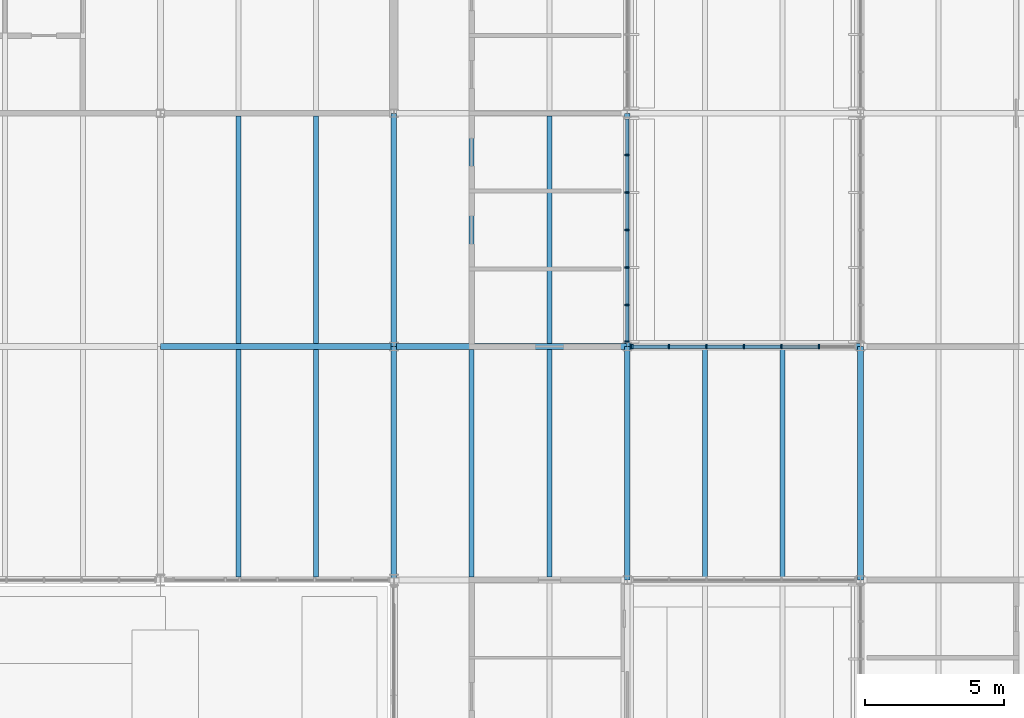
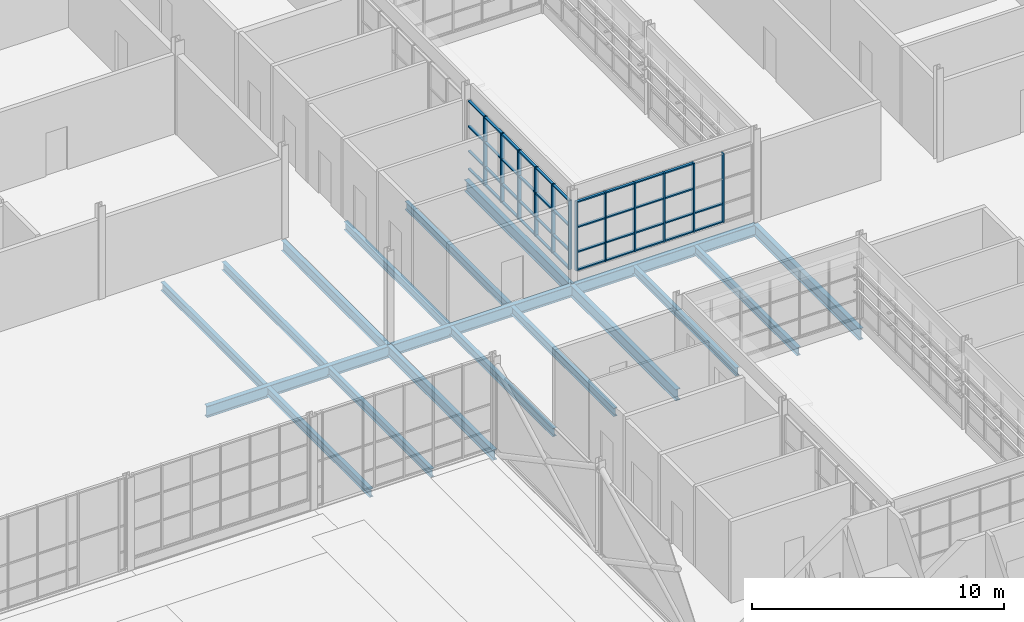
# One storey, part 50 of 116: 54 members, 18 beams, 2 elements without a shape of their own.
"""IFC4 building model written with IfcOpenShell, lengths in metres."""

from ifc_helpers import new_model, si_unit, direction, frame, origin, origin_2d, place, context, subcontext, project, spatial, rectangle, i_section, extrude, material, layer, layer_set, material_profile, profile_set, type_object, element, aggregate, save


model = new_model("IFC4")

# Units and contexts
model_context = context("Model", 3, precision=1e-05, world=origin(), true_north=direction((0.0, 1.0)))
body_context = subcontext(model_context, "Body", "Model", "MODEL_VIEW")
ifc_project = project(units=[si_unit("LENGTHUNIT", "METRE"), si_unit("AREAUNIT", "SQUARE_METRE"), si_unit("VOLUMEUNIT", "CUBIC_METRE"), si_unit("PLANEANGLEUNIT", "RADIAN"), si_unit("MASSUNIT", "GRAM", prefix="KILO")], contexts=[model_context])

# Site, building, storey
site_placement = place(None, origin())
site = spatial("IfcSite", under=ifc_project, at=site_placement, CompositionType="ELEMENT")
building_placement = place(site_placement, origin())
building = spatial("IfcBuilding", under=site, at=building_placement, Name="Ardhachandra Cancer Care Centre", CompositionType="ELEMENT")
storey_placement = place(building_placement, origin())
storey = spatial("IfcBuildingStorey", under=building, at=storey_placement, Name="L00", CompositionType="ELEMENT", Elevation=0.0)

# Beams
ifc_material_1 = material(Name="Steel E350 (IS 2062)", Category="steel")
ifc_material_profile_1 = material_profile(ifc_material_1, i_section(OverallWidth=0.179931640625, OverallDepth=0.39990234375, WebThickness=0.008544921875, FlangeThickness=0.013427734375, FilletRadius=0.02099609375, at=origin_2d()), Name="NPB 400x180x66.30")
ifc_profile_set_1 = profile_set([ifc_material_profile_1], Name="Steel E350 (IS 2062)")
beam_type_1 = type_object("IfcBeamType", Name="Beam NPB 400x180x66.30", PredefinedType="BEAM", material=ifc_profile_set_1)
beam_1_placement = place(storey_placement, frame((106.0, 54.699951171875, -0.35009765625), z_axis=(0.0, 1.0, 0.0), x_axis=(-1.0, 0.0, 0.0)))
element("IfcBeam", 1, at=beam_1_placement, inside=storey, type_object=beam_type_1, Name="Secondary F12-G12@2800", PredefinedType="BEAM", context=body_context, shape_type="SweptSolid", body=[
    extrude(i_section(OverallWidth=0.179931640625, OverallDepth=0.39990234375, WebThickness=0.008544921875, FlangeThickness=0.013427734375, FilletRadius=0.02099609375, at=origin_2d()), origin(), (0.0, 0.0, 1.0), 8.195068359375),
])
beam_2_placement = place(storey_placement, frame((106.0, 63.10498046875, -0.35009765625), z_axis=(0.0, 1.0, 0.0), x_axis=(-1.0, 0.0, 0.0)))
element("IfcBeam", 2, at=beam_2_placement, inside=storey, type_object=beam_type_1, Name="Secondary G12-H12@2800", PredefinedType="BEAM", context=body_context, shape_type="SweptSolid", body=[
    extrude(i_section(OverallWidth=0.179931640625, OverallDepth=0.39990234375, WebThickness=0.008544921875, FlangeThickness=0.013427734375, FilletRadius=0.02099609375, at=origin_2d()), origin(), (0.0, 0.0, 1.0), 8.18994140625),
])
beam_3_placement = place(storey_placement, frame((108.800048828125, 54.699951171875, -0.35009765625), z_axis=(0.0, 1.0, 0.0), x_axis=(-1.0, 0.0, 0.0)))
element("IfcBeam", 3, at=beam_3_placement, inside=storey, type_object=beam_type_1, Name="Secondary F12-G12@5600", PredefinedType="BEAM", context=body_context, shape_type="SweptSolid", body=[
    extrude(i_section(OverallWidth=0.179931640625, OverallDepth=0.39990234375, WebThickness=0.008544921875, FlangeThickness=0.013427734375, FilletRadius=0.02099609375, at=origin_2d()), origin(), (0.0, 0.0, 1.0), 8.195068359375),
])
for number, where, z_axis, x_axis, name in (
    (4, (108.800048828125, 63.10498046875, -0.35009765625), (0.0, 1.0, 0.0), (-1.0, 0.0, 0.0), "Secondary G12-H12@5600"),
    (5, (114.39990234375, 54.705078125, -0.35009765625), (0.0, 1.0, 0.0), (-1.0, 0.0, 0.0), "Secondary F13-G13@2800"),
    (6, (114.39990234375, 63.10498046875, -0.35009765625), (0.0, 1.0, 0.0), (-1.0, 0.0, 0.0), "Secondary G13-H13@2800"),
    (7, (117.199951171875, 54.705078125, -0.35009765625), (0.0, 1.0, 0.0), (-1.0, 0.0, 0.0), "Secondary F13-G13@5600"),
    (8, (117.199951171875, 63.10498046875, -0.35009765625), (0.0, 1.0, 0.0), (-1.0, 0.0, 0.0), "Secondary G13-H13@5600"),
    (9, (122.800048828125, 54.705078125, -0.35009765625), (0.0, 1.0, 0.0), (-1.0, 0.0, 0.0), "Secondary F14-G14@2800"),
    (10, (125.60009765625, 54.705078125, -0.35009765625), (0.0, 1.0, 0.0), (-1.0, 0.0, 0.0), "Secondary F14-G14@5600"),
):
    element("IfcBeam", number, at=place(storey_placement, frame(where, z_axis=z_axis, x_axis=x_axis)), inside=storey, type_object=beam_type_1, Name=name, PredefinedType="BEAM", context=body_context, shape_type="SweptSolid", body=[
        extrude(i_section(OverallWidth=0.179931640625, OverallDepth=0.39990234375, WebThickness=0.008544921875, FlangeThickness=0.013427734375, FilletRadius=0.02099609375, at=origin_2d()), origin(), (0.0, 0.0, 1.0), 8.18994140625),
    ])
ifc_material_2 = material(Name="Steel E350 (IS 2062)", Category="steel")
ifc_material_profile_2 = material_profile(ifc_material_2, i_section(OverallWidth=0.199951171875, OverallDepth=0.5, WebThickness=0.01025390625, FlangeThickness=0.01611328125, FilletRadius=0.02099609375, at=origin_2d()), Name="NPB 500x200x90.68")
ifc_profile_set_2 = profile_set([ifc_material_profile_2], Name="Steel E350 (IS 2062)")
beam_type_2 = type_object("IfcBeamType", Name="Beam NPB 500x200x90.68", PredefinedType="BEAM", material=ifc_profile_set_2)
for number, where, z_axis, x_axis, name in (
    (11, (111.60009765625, 54.60009765625, -0.39990234375), (0.0, 1.0, 0.0), (-1.0, 0.0, 0.0), "Edge girder F13-G13"),
    (12, (111.60009765625, 63.0, -0.39990234375), (0.0, 1.0, 0.0), (-1.0, 0.0, 0.0), "Edge girder G13-H13"),
):
    element("IfcBeam", number, at=place(storey_placement, frame(where, z_axis=z_axis, x_axis=x_axis)), inside=storey, type_object=beam_type_2, Name=name, PredefinedType="BEAM", context=body_context, shape_type="SweptSolid", body=[
        extrude(i_section(OverallWidth=0.199951171875, OverallDepth=0.5, WebThickness=0.01025390625, FlangeThickness=0.01611328125, FilletRadius=0.02099609375, at=origin_2d()), origin(), (0.0, 0.0, 1.0), 8.39990234375),
    ])
ifc_material_3 = material(Name="Steel E350 (IS 2062)", Category="steel")
ifc_material_profile_3 = material_profile(ifc_material_3, i_section(OverallWidth=0.2099609375, OverallDepth=0.550048828125, WebThickness=0.010986328125, FlangeThickness=0.01708984375, FilletRadius=0.02392578125, at=origin_2d()), Name="NPB 550x210x105.52")
ifc_profile_set_3 = profile_set([ifc_material_profile_3], Name="Steel E350 (IS 2062)")
beam_type_3 = type_object("IfcBeamType", Name="Beam NPB 550x210x105.52", PredefinedType="BEAM", material=ifc_profile_set_3)
beam_4_placement = place(storey_placement, frame((103.199951171875, 63.0, -0.425048828125), z_axis=(1.0, 0.0, 0.0), x_axis=(0.0, 1.0, 0.0)))
element("IfcBeam", 13, at=beam_4_placement, inside=storey, type_object=beam_type_3, Name="Girder G12-G13", PredefinedType="BEAM", context=body_context, shape_type="SweptSolid", body=[
    extrude(i_section(OverallWidth=0.2099609375, OverallDepth=0.550048828125, WebThickness=0.010986328125, FlangeThickness=0.01708984375, FilletRadius=0.02392578125, at=origin_2d()), origin(), (0.0, 0.0, 1.0), 8.400146484375),
])
for number, where, z_axis, x_axis, name in (
    (14, (111.60009765625, 63.0, -0.425048828125), (1.0, 0.0, 0.0), (0.0, 1.0, 0.0), "Girder G13-G14"),
    (15, (120.0, 63.0, -0.425048828125), (1.0, 0.0, 0.0), (0.0, 1.0, 0.0), "Girder G14-G15"),
    (16, (120.0, 54.60009765625, -0.425048828125), (0.0, 1.0, 0.0), (-1.0, 0.0, 0.0), "Girder F14-G14"),
    (17, (120.0, 63.0, -0.425048828125), (0.0, 1.0, 0.0), (-1.0, 0.0, 0.0), "Girder G14-H14"),
    (18, (128.39990234375, 54.60009765625, -0.425048828125), (0.0, 1.0, 0.0), (-1.0, 0.0, 0.0), "Girder F15-G15"),
):
    element("IfcBeam", number, at=place(storey_placement, frame(where, z_axis=z_axis, x_axis=x_axis)), inside=storey, type_object=beam_type_3, Name=name, PredefinedType="BEAM", context=body_context, shape_type="SweptSolid", body=[
        extrude(i_section(OverallWidth=0.2099609375, OverallDepth=0.550048828125, WebThickness=0.010986328125, FlangeThickness=0.01708984375, FilletRadius=0.02392578125, at=origin_2d()), origin(), (0.0, 0.0, 1.0), 8.39990234375),
    ])

# Curtain wall, members
ifc_material_4 = material(Name="Aluminium extrusion", Category="aluminium")
ifc_layer = layer(ifc_material_4, 0.14990234375)
ifc_layer_set = layer_set([ifc_layer], Name="Aluminium extrusion")
curtain_wall_type = type_object("IfcCurtainWallType", Name="Curtain wall run", PredefinedType="NOTDEFINED", material=ifc_layer_set)
curtain_wall_1_placement = place(storey_placement, origin())
curtain_wall_1 = element("IfcCurtainWall", 19, at=curtain_wall_1_placement, inside=storey, type_object=curtain_wall_type, Name="Curtain wall L00 e/0120000_0063000", PredefinedType="NOTDEFINED")
ifc_material_5 = material(Name="Aluminium extrusion", Category="aluminium")
ifc_material_profile_4 = material_profile(ifc_material_5, rectangle(XDim=0.159912109375, YDim=0.06005859375, at=origin_2d()), Name="Curtain wall mullion 60 x 160")
ifc_profile_set_4 = profile_set([ifc_material_profile_4], Name="Aluminium extrusion")
member_type_1 = type_object("IfcMemberType", Name="Curtain wall mullion 60 x 160", PredefinedType="MULLION", material=ifc_profile_set_4)
member_1_placement = place(storey_placement, frame((120.0, 63.179931640625, 0.449951171875), z_axis=(0.0, 0.0, 1.0), x_axis=(-1.0, 0.0, 0.0)))
member_1 = element("IfcMember", 20, at=member_1_placement, type_object=member_type_1, Name="CW mullion 1", PredefinedType="MULLION", context=body_context, shape_type="SweptSolid", body=[
    extrude(rectangle(XDim=0.159912109375, YDim=0.06005859375, at=origin_2d()), origin(), (0.0, 0.0, 1.0), 3.35009765625),
])
member_2_placement = place(storey_placement, frame((120.0, 64.5, 0.449951171875), z_axis=(0.0, 0.0, 1.0), x_axis=(-1.0, 0.0, 0.0)))
member_2 = element("IfcMember", 21, at=member_2_placement, type_object=member_type_1, Name="CW mullion 2", PredefinedType="MULLION", context=body_context, shape_type="SweptSolid", body=[
    extrude(rectangle(XDim=0.159912109375, YDim=0.06005859375, at=origin_2d()), origin(), (0.0, 0.0, 1.0), 3.35009765625),
])
member_3_placement = place(storey_placement, frame((120.0, 65.85009765625, 0.449951171875), z_axis=(0.0, 0.0, 1.0), x_axis=(-1.0, 0.0, 0.0)))
member_3 = element("IfcMember", 22, at=member_3_placement, type_object=member_type_1, Name="CW mullion 3", PredefinedType="MULLION", context=body_context, shape_type="SweptSolid", body=[
    extrude(rectangle(XDim=0.159912109375, YDim=0.06005859375, at=origin_2d()), origin(), (0.0, 0.0, 1.0), 3.35009765625),
])
member_4_placement = place(storey_placement, frame((120.0, 67.199951171875, 0.449951171875), z_axis=(0.0, 0.0, 1.0), x_axis=(-1.0, 0.0, 0.0)))
member_4 = element("IfcMember", 23, at=member_4_placement, type_object=member_type_1, Name="CW mullion 4", PredefinedType="MULLION", context=body_context, shape_type="SweptSolid", body=[
    extrude(rectangle(XDim=0.159912109375, YDim=0.06005859375, at=origin_2d()), origin(), (0.0, 0.0, 1.0), 3.35009765625),
])
member_5_placement = place(storey_placement, frame((120.0, 68.550048828125, 0.449951171875), z_axis=(0.0, 0.0, 1.0), x_axis=(-1.0, 0.0, 0.0)))
member_5 = element("IfcMember", 24, at=member_5_placement, type_object=member_type_1, Name="CW mullion 5", PredefinedType="MULLION", context=body_context, shape_type="SweptSolid", body=[
    extrude(rectangle(XDim=0.159912109375, YDim=0.06005859375, at=origin_2d()), origin(), (0.0, 0.0, 1.0), 3.35009765625),
])
member_6_placement = place(storey_placement, frame((120.0, 69.89990234375, 0.449951171875), z_axis=(0.0, 0.0, 1.0), x_axis=(-1.0, 0.0, 0.0)))
member_6 = element("IfcMember", 25, at=member_6_placement, type_object=member_type_1, Name="CW mullion 6", PredefinedType="MULLION", context=body_context, shape_type="SweptSolid", body=[
    extrude(rectangle(XDim=0.159912109375, YDim=0.06005859375, at=origin_2d()), origin(), (0.0, 0.0, 1.0), 3.35009765625),
])

curtain_wall_2_placement = place(storey_placement, origin())
curtain_wall_2 = element("IfcCurtainWall", 26, at=curtain_wall_2_placement, inside=storey, type_object=curtain_wall_type, Name="Curtain wall L00 n/0120000_0063000", PredefinedType="NOTDEFINED")
member_7_placement = place(storey_placement, frame((120.179931640625, 63.0, 0.449951171875), z_axis=(0.0, 0.0, 1.0), x_axis=(0.0, 1.0, 0.0)))
member_7 = element("IfcMember", 27, at=member_7_placement, type_object=member_type_1, Name="CW mullion 1", PredefinedType="MULLION", context=body_context, shape_type="SweptSolid", body=[
    extrude(rectangle(XDim=0.159912109375, YDim=0.06005859375, at=origin_2d()), origin(), (0.0, 0.0, 1.0), 3.35009765625),
])
member_8_placement = place(storey_placement, frame((121.5, 63.0, 0.449951171875), z_axis=(0.0, 0.0, 1.0), x_axis=(0.0, 1.0, 0.0)))
member_8 = element("IfcMember", 28, at=member_8_placement, type_object=member_type_1, Name="CW mullion 2", PredefinedType="MULLION", context=body_context, shape_type="SweptSolid", body=[
    extrude(rectangle(XDim=0.159912109375, YDim=0.06005859375, at=origin_2d()), origin(), (0.0, 0.0, 1.0), 3.35009765625),
])
member_9_placement = place(storey_placement, frame((122.85009765625, 63.0, 0.449951171875), z_axis=(0.0, 0.0, 1.0), x_axis=(0.0, 1.0, 0.0)))
member_9 = element("IfcMember", 29, at=member_9_placement, type_object=member_type_1, Name="CW mullion 3", PredefinedType="MULLION", context=body_context, shape_type="SweptSolid", body=[
    extrude(rectangle(XDim=0.159912109375, YDim=0.06005859375, at=origin_2d()), origin(), (0.0, 0.0, 1.0), 3.35009765625),
])
member_10_placement = place(storey_placement, frame((124.199951171875, 63.0, 0.449951171875), z_axis=(0.0, 0.0, 1.0), x_axis=(0.0, 1.0, 0.0)))
member_10 = element("IfcMember", 30, at=member_10_placement, type_object=member_type_1, Name="CW mullion 4", PredefinedType="MULLION", context=body_context, shape_type="SweptSolid", body=[
    extrude(rectangle(XDim=0.159912109375, YDim=0.06005859375, at=origin_2d()), origin(), (0.0, 0.0, 1.0), 3.35009765625),
])
member_11_placement = place(storey_placement, frame((125.550048828125, 63.0, 0.449951171875), z_axis=(0.0, 0.0, 1.0), x_axis=(0.0, 1.0, 0.0)))
member_11 = element("IfcMember", 31, at=member_11_placement, type_object=member_type_1, Name="CW mullion 5", PredefinedType="MULLION", context=body_context, shape_type="SweptSolid", body=[
    extrude(rectangle(XDim=0.159912109375, YDim=0.06005859375, at=origin_2d()), origin(), (0.0, 0.0, 1.0), 3.35009765625),
])
member_12_placement = place(storey_placement, frame((126.89990234375, 63.0, 0.449951171875), z_axis=(0.0, 0.0, 1.0), x_axis=(0.0, 1.0, 0.0)))
member_12 = element("IfcMember", 32, at=member_12_placement, type_object=member_type_1, Name="CW mullion 6", PredefinedType="MULLION", context=body_context, shape_type="SweptSolid", body=[
    extrude(rectangle(XDim=0.159912109375, YDim=0.06005859375, at=origin_2d()), origin(), (0.0, 0.0, 1.0), 3.35009765625),
])

# Member
ifc_material_6 = material(Name="Aluminium extrusion", Category="aluminium")
ifc_material_profile_5 = material_profile(ifc_material_6, rectangle(XDim=0.1201171875, YDim=0.06005859375, at=origin_2d()), Name="Curtain wall transom 60 x 120")
ifc_profile_set_5 = profile_set([ifc_material_profile_5], Name="Aluminium extrusion")
member_type_2 = type_object("IfcMemberType", Name="Curtain wall transom 60 x 120", PredefinedType="USERDEFINED", material=ifc_profile_set_5)
member_13_placement = place(storey_placement, frame((120.0, 63.2099609375, 0.47998046875), z_axis=(0.0, 1.0, 0.0), x_axis=(-1.0, 0.0, 0.0)))
member_13 = element("IfcMember", 33, at=member_13_placement, type_object=member_type_2, Name="CW transom 1.1", ObjectType="TRANSOM", PredefinedType="USERDEFINED", context=body_context, shape_type="SweptSolid", body=[
    extrude(rectangle(XDim=0.1201171875, YDim=0.06005859375, at=origin_2d()), origin(), (0.0, 0.0, 1.0), 1.260009765625),
])

member_14_placement = place(storey_placement, frame((120.0, 63.2099609375, 1.35009765625), z_axis=(0.0, 1.0, 0.0), x_axis=(-1.0, 0.0, 0.0)))
member_14 = element("IfcMember", 34, at=member_14_placement, type_object=member_type_2, Name="CW transom 1.2", ObjectType="TRANSOM", PredefinedType="USERDEFINED", context=body_context, shape_type="SweptSolid", body=[
    extrude(rectangle(XDim=0.1201171875, YDim=0.06005859375, at=origin_2d()), origin(), (0.0, 0.0, 1.0), 1.260009765625),
])

member_15_placement = place(storey_placement, frame((120.0, 63.2099609375, 2.550048828125), z_axis=(0.0, 1.0, 0.0), x_axis=(-1.0, 0.0, 0.0)))
member_15 = element("IfcMember", 35, at=member_15_placement, type_object=member_type_2, Name="CW transom 1.3", ObjectType="TRANSOM", PredefinedType="USERDEFINED", context=body_context, shape_type="SweptSolid", body=[
    extrude(rectangle(XDim=0.1201171875, YDim=0.06005859375, at=origin_2d()), origin(), (0.0, 0.0, 1.0), 1.260009765625),
])

member_16_placement = place(storey_placement, frame((120.0, 63.2099609375, 3.77001953125), z_axis=(0.0, 1.0, 0.0), x_axis=(-1.0, 0.0, 0.0)))
member_16 = element("IfcMember", 36, at=member_16_placement, type_object=member_type_2, Name="CW transom 1.4", ObjectType="TRANSOM", PredefinedType="USERDEFINED", context=body_context, shape_type="SweptSolid", body=[
    extrude(rectangle(XDim=0.1201171875, YDim=0.06005859375, at=origin_2d()), origin(), (0.0, 0.0, 1.0), 1.260009765625),
])

member_17_placement = place(storey_placement, frame((120.0, 64.530029296875, 0.47998046875), z_axis=(0.0, 1.0, 0.0), x_axis=(-1.0, 0.0, 0.0)))
member_17 = element("IfcMember", 37, at=member_17_placement, type_object=member_type_2, Name="CW transom 2.1", ObjectType="TRANSOM", PredefinedType="USERDEFINED", context=body_context, shape_type="SweptSolid", body=[
    extrude(rectangle(XDim=0.1201171875, YDim=0.06005859375, at=origin_2d()), origin(), (0.0, 0.0, 1.0), 1.2900390625),
])

member_18_placement = place(storey_placement, frame((120.0, 64.530029296875, 1.35009765625), z_axis=(0.0, 1.0, 0.0), x_axis=(-1.0, 0.0, 0.0)))
member_18 = element("IfcMember", 38, at=member_18_placement, type_object=member_type_2, Name="CW transom 2.2", ObjectType="TRANSOM", PredefinedType="USERDEFINED", context=body_context, shape_type="SweptSolid", body=[
    extrude(rectangle(XDim=0.1201171875, YDim=0.06005859375, at=origin_2d()), origin(), (0.0, 0.0, 1.0), 1.2900390625),
])

member_19_placement = place(storey_placement, frame((120.0, 64.530029296875, 2.550048828125), z_axis=(0.0, 1.0, 0.0), x_axis=(-1.0, 0.0, 0.0)))
member_19 = element("IfcMember", 39, at=member_19_placement, type_object=member_type_2, Name="CW transom 2.3", ObjectType="TRANSOM", PredefinedType="USERDEFINED", context=body_context, shape_type="SweptSolid", body=[
    extrude(rectangle(XDim=0.1201171875, YDim=0.06005859375, at=origin_2d()), origin(), (0.0, 0.0, 1.0), 1.2900390625),
])

member_20_placement = place(storey_placement, frame((120.0, 64.530029296875, 3.77001953125), z_axis=(0.0, 1.0, 0.0), x_axis=(-1.0, 0.0, 0.0)))
member_20 = element("IfcMember", 40, at=member_20_placement, type_object=member_type_2, Name="CW transom 2.4", ObjectType="TRANSOM", PredefinedType="USERDEFINED", context=body_context, shape_type="SweptSolid", body=[
    extrude(rectangle(XDim=0.1201171875, YDim=0.06005859375, at=origin_2d()), origin(), (0.0, 0.0, 1.0), 1.2900390625),
])

member_21_placement = place(storey_placement, frame((120.0, 65.8798828125, 0.47998046875), z_axis=(0.0, 1.0, 0.0), x_axis=(-1.0, 0.0, 0.0)))
member_21 = element("IfcMember", 41, at=member_21_placement, type_object=member_type_2, Name="CW transom 3.1", ObjectType="TRANSOM", PredefinedType="USERDEFINED", context=body_context, shape_type="SweptSolid", body=[
    extrude(rectangle(XDim=0.1201171875, YDim=0.06005859375, at=origin_2d()), origin(), (0.0, 0.0, 1.0), 1.2900390625),
])

member_22_placement = place(storey_placement, frame((120.0, 65.8798828125, 1.35009765625), z_axis=(0.0, 1.0, 0.0), x_axis=(-1.0, 0.0, 0.0)))
member_22 = element("IfcMember", 42, at=member_22_placement, type_object=member_type_2, Name="CW transom 3.2", ObjectType="TRANSOM", PredefinedType="USERDEFINED", context=body_context, shape_type="SweptSolid", body=[
    extrude(rectangle(XDim=0.1201171875, YDim=0.06005859375, at=origin_2d()), origin(), (0.0, 0.0, 1.0), 1.2900390625),
])

member_23_placement = place(storey_placement, frame((120.0, 65.8798828125, 2.550048828125), z_axis=(0.0, 1.0, 0.0), x_axis=(-1.0, 0.0, 0.0)))
member_23 = element("IfcMember", 43, at=member_23_placement, type_object=member_type_2, Name="CW transom 3.3", ObjectType="TRANSOM", PredefinedType="USERDEFINED", context=body_context, shape_type="SweptSolid", body=[
    extrude(rectangle(XDim=0.1201171875, YDim=0.06005859375, at=origin_2d()), origin(), (0.0, 0.0, 1.0), 1.2900390625),
])

member_24_placement = place(storey_placement, frame((120.0, 65.8798828125, 3.77001953125), z_axis=(0.0, 1.0, 0.0), x_axis=(-1.0, 0.0, 0.0)))
member_24 = element("IfcMember", 44, at=member_24_placement, type_object=member_type_2, Name="CW transom 3.4", ObjectType="TRANSOM", PredefinedType="USERDEFINED", context=body_context, shape_type="SweptSolid", body=[
    extrude(rectangle(XDim=0.1201171875, YDim=0.06005859375, at=origin_2d()), origin(), (0.0, 0.0, 1.0), 1.2900390625),
])

member_25_placement = place(storey_placement, frame((120.0, 67.22998046875, 0.47998046875), z_axis=(0.0, 1.0, 0.0), x_axis=(-1.0, 0.0, 0.0)))
member_25 = element("IfcMember", 45, at=member_25_placement, type_object=member_type_2, Name="CW transom 4.1", ObjectType="TRANSOM", PredefinedType="USERDEFINED", context=body_context, shape_type="SweptSolid", body=[
    extrude(rectangle(XDim=0.1201171875, YDim=0.06005859375, at=origin_2d()), origin(), (0.0, 0.0, 1.0), 1.2900390625),
])

member_26_placement = place(storey_placement, frame((120.0, 67.22998046875, 1.35009765625), z_axis=(0.0, 1.0, 0.0), x_axis=(-1.0, 0.0, 0.0)))
member_26 = element("IfcMember", 46, at=member_26_placement, type_object=member_type_2, Name="CW transom 4.2", ObjectType="TRANSOM", PredefinedType="USERDEFINED", context=body_context, shape_type="SweptSolid", body=[
    extrude(rectangle(XDim=0.1201171875, YDim=0.06005859375, at=origin_2d()), origin(), (0.0, 0.0, 1.0), 1.2900390625),
])

member_27_placement = place(storey_placement, frame((120.0, 67.22998046875, 2.550048828125), z_axis=(0.0, 1.0, 0.0), x_axis=(-1.0, 0.0, 0.0)))
member_27 = element("IfcMember", 47, at=member_27_placement, type_object=member_type_2, Name="CW transom 4.3", ObjectType="TRANSOM", PredefinedType="USERDEFINED", context=body_context, shape_type="SweptSolid", body=[
    extrude(rectangle(XDim=0.1201171875, YDim=0.06005859375, at=origin_2d()), origin(), (0.0, 0.0, 1.0), 1.2900390625),
])

member_28_placement = place(storey_placement, frame((120.0, 67.22998046875, 3.77001953125), z_axis=(0.0, 1.0, 0.0), x_axis=(-1.0, 0.0, 0.0)))
member_28 = element("IfcMember", 48, at=member_28_placement, type_object=member_type_2, Name="CW transom 4.4", ObjectType="TRANSOM", PredefinedType="USERDEFINED", context=body_context, shape_type="SweptSolid", body=[
    extrude(rectangle(XDim=0.1201171875, YDim=0.06005859375, at=origin_2d()), origin(), (0.0, 0.0, 1.0), 1.2900390625),
])

member_29_placement = place(storey_placement, frame((120.0, 68.580078125, 0.47998046875), z_axis=(0.0, 1.0, 0.0), x_axis=(-1.0, 0.0, 0.0)))
member_29 = element("IfcMember", 49, at=member_29_placement, type_object=member_type_2, Name="CW transom 5.1", ObjectType="TRANSOM", PredefinedType="USERDEFINED", context=body_context, shape_type="SweptSolid", body=[
    extrude(rectangle(XDim=0.1201171875, YDim=0.06005859375, at=origin_2d()), origin(), (0.0, 0.0, 1.0), 1.2900390625),
])

member_30_placement = place(storey_placement, frame((120.0, 68.580078125, 1.35009765625), z_axis=(0.0, 1.0, 0.0), x_axis=(-1.0, 0.0, 0.0)))
member_30 = element("IfcMember", 50, at=member_30_placement, type_object=member_type_2, Name="CW transom 5.2", ObjectType="TRANSOM", PredefinedType="USERDEFINED", context=body_context, shape_type="SweptSolid", body=[
    extrude(rectangle(XDim=0.1201171875, YDim=0.06005859375, at=origin_2d()), origin(), (0.0, 0.0, 1.0), 1.2900390625),
])

member_31_placement = place(storey_placement, frame((120.0, 68.580078125, 2.550048828125), z_axis=(0.0, 1.0, 0.0), x_axis=(-1.0, 0.0, 0.0)))
member_31 = element("IfcMember", 51, at=member_31_placement, type_object=member_type_2, Name="CW transom 5.3", ObjectType="TRANSOM", PredefinedType="USERDEFINED", context=body_context, shape_type="SweptSolid", body=[
    extrude(rectangle(XDim=0.1201171875, YDim=0.06005859375, at=origin_2d()), origin(), (0.0, 0.0, 1.0), 1.2900390625),
])

member_32_placement = place(storey_placement, frame((120.0, 68.580078125, 3.77001953125), z_axis=(0.0, 1.0, 0.0), x_axis=(-1.0, 0.0, 0.0)))
member_32 = element("IfcMember", 52, at=member_32_placement, type_object=member_type_2, Name="CW transom 5.4", ObjectType="TRANSOM", PredefinedType="USERDEFINED", context=body_context, shape_type="SweptSolid", body=[
    extrude(rectangle(XDim=0.1201171875, YDim=0.06005859375, at=origin_2d()), origin(), (0.0, 0.0, 1.0), 1.2900390625),
])

member_33_placement = place(storey_placement, frame((120.0, 69.929931640625, 0.47998046875), z_axis=(0.0, 1.0, 0.0), x_axis=(-1.0, 0.0, 0.0)))
member_33 = element("IfcMember", 53, at=member_33_placement, type_object=member_type_2, Name="CW transom 6.1", ObjectType="TRANSOM", PredefinedType="USERDEFINED", context=body_context, shape_type="SweptSolid", body=[
    extrude(rectangle(XDim=0.1201171875, YDim=0.06005859375, at=origin_2d()), origin(), (0.0, 0.0, 1.0), 1.260009765625),
])

member_34_placement = place(storey_placement, frame((120.0, 69.929931640625, 1.35009765625), z_axis=(0.0, 1.0, 0.0), x_axis=(-1.0, 0.0, 0.0)))
member_34 = element("IfcMember", 54, at=member_34_placement, type_object=member_type_2, Name="CW transom 6.2", ObjectType="TRANSOM", PredefinedType="USERDEFINED", context=body_context, shape_type="SweptSolid", body=[
    extrude(rectangle(XDim=0.1201171875, YDim=0.06005859375, at=origin_2d()), origin(), (0.0, 0.0, 1.0), 1.260009765625),
])

member_35_placement = place(storey_placement, frame((120.0, 69.929931640625, 2.550048828125), z_axis=(0.0, 1.0, 0.0), x_axis=(-1.0, 0.0, 0.0)))
member_35 = element("IfcMember", 55, at=member_35_placement, type_object=member_type_2, Name="CW transom 6.3", ObjectType="TRANSOM", PredefinedType="USERDEFINED", context=body_context, shape_type="SweptSolid", body=[
    extrude(rectangle(XDim=0.1201171875, YDim=0.06005859375, at=origin_2d()), origin(), (0.0, 0.0, 1.0), 1.260009765625),
])

member_36_placement = place(storey_placement, frame((120.0, 69.929931640625, 3.77001953125), z_axis=(0.0, 1.0, 0.0), x_axis=(-1.0, 0.0, 0.0)))
member_36 = element("IfcMember", 56, at=member_36_placement, type_object=member_type_2, Name="CW transom 6.4", ObjectType="TRANSOM", PredefinedType="USERDEFINED", context=body_context, shape_type="SweptSolid", body=[
    extrude(rectangle(XDim=0.1201171875, YDim=0.06005859375, at=origin_2d()), origin(), (0.0, 0.0, 1.0), 1.260009765625),
])

aggregate(curtain_wall_1, [member_1, member_2, member_3, member_4, member_5, member_6, member_13, member_14, member_15, member_16, member_17, member_18, member_19, member_20, member_21, member_22, member_23, member_24, member_25, member_26, member_27, member_28, member_29, member_30, member_31, member_32, member_33, member_34, member_35, member_36])

member_37_placement = place(storey_placement, frame((120.2099609375, 63.0, 0.47998046875), z_axis=(1.0, 0.0, 0.0), x_axis=(0.0, 1.0, 0.0)))
member_37 = element("IfcMember", 57, at=member_37_placement, type_object=member_type_2, Name="CW transom 1.1", ObjectType="TRANSOM", PredefinedType="USERDEFINED", context=body_context, shape_type="SweptSolid", body=[
    extrude(rectangle(XDim=0.1201171875, YDim=0.06005859375, at=origin_2d()), origin(), (0.0, 0.0, 1.0), 1.260009765625),
])

member_38_placement = place(storey_placement, frame((120.2099609375, 63.0, 1.35009765625), z_axis=(1.0, 0.0, 0.0), x_axis=(0.0, 1.0, 0.0)))
member_38 = element("IfcMember", 58, at=member_38_placement, type_object=member_type_2, Name="CW transom 1.2", ObjectType="TRANSOM", PredefinedType="USERDEFINED", context=body_context, shape_type="SweptSolid", body=[
    extrude(rectangle(XDim=0.1201171875, YDim=0.06005859375, at=origin_2d()), origin(), (0.0, 0.0, 1.0), 1.260009765625),
])

member_39_placement = place(storey_placement, frame((120.2099609375, 63.0, 2.550048828125), z_axis=(1.0, 0.0, 0.0), x_axis=(0.0, 1.0, 0.0)))
member_39 = element("IfcMember", 59, at=member_39_placement, type_object=member_type_2, Name="CW transom 1.3", ObjectType="TRANSOM", PredefinedType="USERDEFINED", context=body_context, shape_type="SweptSolid", body=[
    extrude(rectangle(XDim=0.1201171875, YDim=0.06005859375, at=origin_2d()), origin(), (0.0, 0.0, 1.0), 1.260009765625),
])

member_40_placement = place(storey_placement, frame((120.2099609375, 63.0, 3.77001953125), z_axis=(1.0, 0.0, 0.0), x_axis=(0.0, 1.0, 0.0)))
member_40 = element("IfcMember", 60, at=member_40_placement, type_object=member_type_2, Name="CW transom 1.4", ObjectType="TRANSOM", PredefinedType="USERDEFINED", context=body_context, shape_type="SweptSolid", body=[
    extrude(rectangle(XDim=0.1201171875, YDim=0.06005859375, at=origin_2d()), origin(), (0.0, 0.0, 1.0), 1.260009765625),
])

member_41_placement = place(storey_placement, frame((121.530029296875, 63.0, 0.47998046875), z_axis=(1.0, 0.0, 0.0), x_axis=(0.0, 1.0, 0.0)))
member_41 = element("IfcMember", 61, at=member_41_placement, type_object=member_type_2, Name="CW transom 2.1", ObjectType="TRANSOM", PredefinedType="USERDEFINED", context=body_context, shape_type="SweptSolid", body=[
    extrude(rectangle(XDim=0.1201171875, YDim=0.06005859375, at=origin_2d()), origin(), (0.0, 0.0, 1.0), 1.2900390625),
])

member_42_placement = place(storey_placement, frame((121.530029296875, 63.0, 1.35009765625), z_axis=(1.0, 0.0, 0.0), x_axis=(0.0, 1.0, 0.0)))
member_42 = element("IfcMember", 62, at=member_42_placement, type_object=member_type_2, Name="CW transom 2.2", ObjectType="TRANSOM", PredefinedType="USERDEFINED", context=body_context, shape_type="SweptSolid", body=[
    extrude(rectangle(XDim=0.1201171875, YDim=0.06005859375, at=origin_2d()), origin(), (0.0, 0.0, 1.0), 1.2900390625),
])

member_43_placement = place(storey_placement, frame((121.530029296875, 63.0, 2.550048828125), z_axis=(1.0, 0.0, 0.0), x_axis=(0.0, 1.0, 0.0)))
member_43 = element("IfcMember", 63, at=member_43_placement, type_object=member_type_2, Name="CW transom 2.3", ObjectType="TRANSOM", PredefinedType="USERDEFINED", context=body_context, shape_type="SweptSolid", body=[
    extrude(rectangle(XDim=0.1201171875, YDim=0.06005859375, at=origin_2d()), origin(), (0.0, 0.0, 1.0), 1.2900390625),
])

member_44_placement = place(storey_placement, frame((121.530029296875, 63.0, 3.77001953125), z_axis=(1.0, 0.0, 0.0), x_axis=(0.0, 1.0, 0.0)))
member_44 = element("IfcMember", 64, at=member_44_placement, type_object=member_type_2, Name="CW transom 2.4", ObjectType="TRANSOM", PredefinedType="USERDEFINED", context=body_context, shape_type="SweptSolid", body=[
    extrude(rectangle(XDim=0.1201171875, YDim=0.06005859375, at=origin_2d()), origin(), (0.0, 0.0, 1.0), 1.2900390625),
])

member_45_placement = place(storey_placement, frame((122.8798828125, 63.0, 0.47998046875), z_axis=(1.0, 0.0, 0.0), x_axis=(0.0, 1.0, 0.0)))
member_45 = element("IfcMember", 65, at=member_45_placement, type_object=member_type_2, Name="CW transom 3.1", ObjectType="TRANSOM", PredefinedType="USERDEFINED", context=body_context, shape_type="SweptSolid", body=[
    extrude(rectangle(XDim=0.1201171875, YDim=0.06005859375, at=origin_2d()), origin(), (0.0, 0.0, 1.0), 1.2900390625),
])

member_46_placement = place(storey_placement, frame((122.8798828125, 63.0, 1.35009765625), z_axis=(1.0, 0.0, 0.0), x_axis=(0.0, 1.0, 0.0)))
member_46 = element("IfcMember", 66, at=member_46_placement, type_object=member_type_2, Name="CW transom 3.2", ObjectType="TRANSOM", PredefinedType="USERDEFINED", context=body_context, shape_type="SweptSolid", body=[
    extrude(rectangle(XDim=0.1201171875, YDim=0.06005859375, at=origin_2d()), origin(), (0.0, 0.0, 1.0), 1.2900390625),
])

member_47_placement = place(storey_placement, frame((122.8798828125, 63.0, 2.550048828125), z_axis=(1.0, 0.0, 0.0), x_axis=(0.0, 1.0, 0.0)))
member_47 = element("IfcMember", 67, at=member_47_placement, type_object=member_type_2, Name="CW transom 3.3", ObjectType="TRANSOM", PredefinedType="USERDEFINED", context=body_context, shape_type="SweptSolid", body=[
    extrude(rectangle(XDim=0.1201171875, YDim=0.06005859375, at=origin_2d()), origin(), (0.0, 0.0, 1.0), 1.2900390625),
])

member_48_placement = place(storey_placement, frame((122.8798828125, 63.0, 3.77001953125), z_axis=(1.0, 0.0, 0.0), x_axis=(0.0, 1.0, 0.0)))
member_48 = element("IfcMember", 68, at=member_48_placement, type_object=member_type_2, Name="CW transom 3.4", ObjectType="TRANSOM", PredefinedType="USERDEFINED", context=body_context, shape_type="SweptSolid", body=[
    extrude(rectangle(XDim=0.1201171875, YDim=0.06005859375, at=origin_2d()), origin(), (0.0, 0.0, 1.0), 1.2900390625),
])

member_49_placement = place(storey_placement, frame((124.22998046875, 63.0, 0.47998046875), z_axis=(1.0, 0.0, 0.0), x_axis=(0.0, 1.0, 0.0)))
member_49 = element("IfcMember", 69, at=member_49_placement, type_object=member_type_2, Name="CW transom 4.1", ObjectType="TRANSOM", PredefinedType="USERDEFINED", context=body_context, shape_type="SweptSolid", body=[
    extrude(rectangle(XDim=0.1201171875, YDim=0.06005859375, at=origin_2d()), origin(), (0.0, 0.0, 1.0), 1.2900390625),
])

member_50_placement = place(storey_placement, frame((124.22998046875, 63.0, 1.35009765625), z_axis=(1.0, 0.0, 0.0), x_axis=(0.0, 1.0, 0.0)))
member_50 = element("IfcMember", 70, at=member_50_placement, type_object=member_type_2, Name="CW transom 4.2", ObjectType="TRANSOM", PredefinedType="USERDEFINED", context=body_context, shape_type="SweptSolid", body=[
    extrude(rectangle(XDim=0.1201171875, YDim=0.06005859375, at=origin_2d()), origin(), (0.0, 0.0, 1.0), 1.2900390625),
])

member_51_placement = place(storey_placement, frame((124.22998046875, 63.0, 2.550048828125), z_axis=(1.0, 0.0, 0.0), x_axis=(0.0, 1.0, 0.0)))
member_51 = element("IfcMember", 71, at=member_51_placement, type_object=member_type_2, Name="CW transom 4.3", ObjectType="TRANSOM", PredefinedType="USERDEFINED", context=body_context, shape_type="SweptSolid", body=[
    extrude(rectangle(XDim=0.1201171875, YDim=0.06005859375, at=origin_2d()), origin(), (0.0, 0.0, 1.0), 1.2900390625),
])

member_52_placement = place(storey_placement, frame((124.22998046875, 63.0, 3.77001953125), z_axis=(1.0, 0.0, 0.0), x_axis=(0.0, 1.0, 0.0)))
member_52 = element("IfcMember", 72, at=member_52_placement, type_object=member_type_2, Name="CW transom 4.4", ObjectType="TRANSOM", PredefinedType="USERDEFINED", context=body_context, shape_type="SweptSolid", body=[
    extrude(rectangle(XDim=0.1201171875, YDim=0.06005859375, at=origin_2d()), origin(), (0.0, 0.0, 1.0), 1.2900390625),
])

member_53_placement = place(storey_placement, frame((125.580078125, 63.0, 0.47998046875), z_axis=(1.0, 0.0, 0.0), x_axis=(0.0, 1.0, 0.0)))
member_53 = element("IfcMember", 73, at=member_53_placement, type_object=member_type_2, Name="CW transom 5.1", ObjectType="TRANSOM", PredefinedType="USERDEFINED", context=body_context, shape_type="SweptSolid", body=[
    extrude(rectangle(XDim=0.1201171875, YDim=0.06005859375, at=origin_2d()), origin(), (0.0, 0.0, 1.0), 1.2900390625),
])

member_54_placement = place(storey_placement, frame((125.580078125, 63.0, 1.35009765625), z_axis=(1.0, 0.0, 0.0), x_axis=(0.0, 1.0, 0.0)))
member_54 = element("IfcMember", 74, at=member_54_placement, type_object=member_type_2, Name="CW transom 5.2", ObjectType="TRANSOM", PredefinedType="USERDEFINED", context=body_context, shape_type="SweptSolid", body=[
    extrude(rectangle(XDim=0.1201171875, YDim=0.06005859375, at=origin_2d()), origin(), (0.0, 0.0, 1.0), 1.2900390625),
])

aggregate(curtain_wall_2, [member_7, member_8, member_9, member_10, member_11, member_12, member_37, member_38, member_39, member_40, member_41, member_42, member_43, member_44, member_45, member_46, member_47, member_48, member_49, member_50, member_51, member_52, member_53, member_54])

save(model, "model.ifc")
